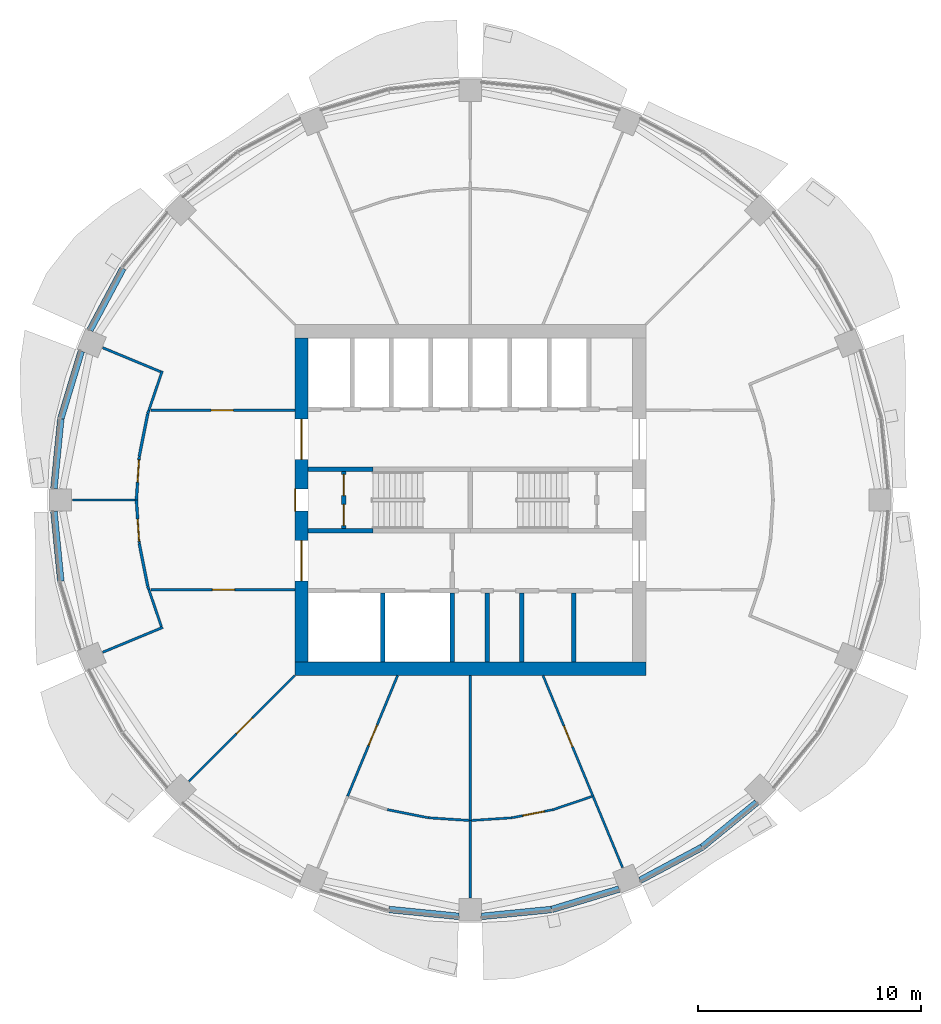
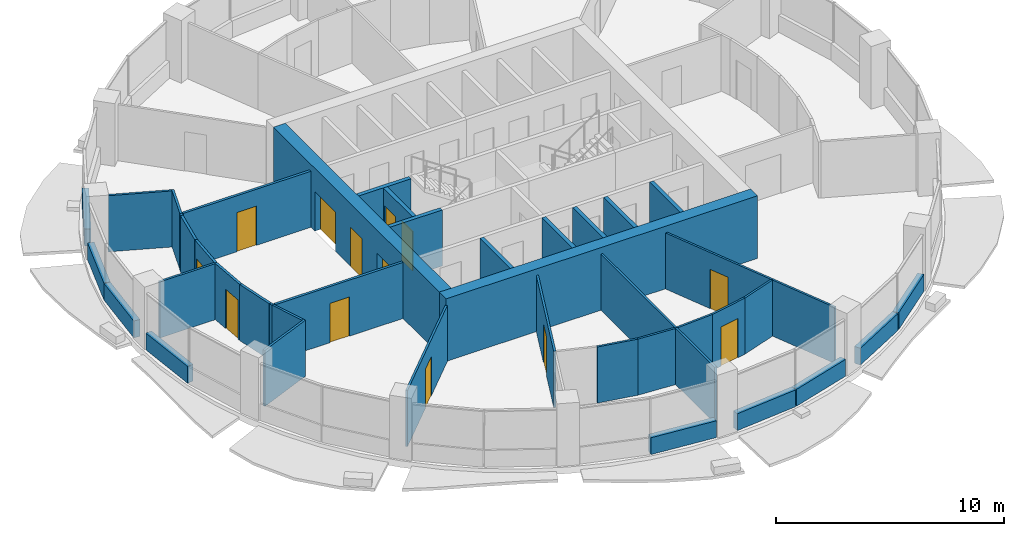
# One storey, part 8 of 15: 43 walls, 13 doors, 13 openings.
"""IFC4 building model written with IfcOpenShell, lengths in metres."""

from ifc_helpers import new_model, si_unit, direction, frame, frame_2d, origin, place, context, subcontext, project, spatial, rectangle, extrude, material, layer, layer_set, type_object, element, fill, save


model = new_model("IFC4")

# Units and contexts
model_context = context("Model", 3, precision=1e-05, world=origin(), true_north=direction((0.0, 1.0)))
body_context = subcontext(model_context, "Body", "Model", "MODEL_VIEW")
ifc_project = project(units=[si_unit("LENGTHUNIT", "METRE"), si_unit("AREAUNIT", "SQUARE_METRE"), si_unit("VOLUMEUNIT", "CUBIC_METRE"), si_unit("PLANEANGLEUNIT", "RADIAN"), si_unit("MASSUNIT", "GRAM", prefix="KILO")], contexts=[model_context])

# Site, building, storey
site_placement = place(None, origin())
site = spatial("IfcSite", under=ifc_project, at=site_placement, CompositionType="ELEMENT")
building_placement = place(site_placement, origin())
building = spatial("IfcBuilding", under=site, at=building_placement, Name="Polderwave Tower", CompositionType="ELEMENT")
storey_placement = place(building_placement, frame((0.0, 0.0, 134.35009765625)))
storey = spatial("IfcBuildingStorey", under=building, at=storey_placement, Name="L35", CompositionType="ELEMENT", Elevation=134.35009765625)

# Wall
ifc_material_1 = material(Name="Concrete C60/75", Category="concrete")
ifc_layer_1 = layer(ifc_material_1, 0.60009765625)
ifc_layer_set_1 = layer_set([ifc_layer_1], Name="CORE WALL 600 C60/75")
wall_type_1 = type_object("IfcWallType", Name="CORE WALL 600 C60/75", PredefinedType="SHEAR", material=ifc_layer_set_1)
wall_1_placement = place(storey_placement, frame((-7.8740234375, -7.573974609375, 0.0), z_axis=(0.0, 0.0, 1.0), x_axis=(1.0, 0.0, 0.0)))
element("IfcWall", 1, at=wall_1_placement, inside=storey, type_object=wall_type_1, Name="ST-CORE-L35-S", PredefinedType="SHEAR", context=body_context, shape_type="SweptSolid", body=[
    extrude(rectangle(XDim=15.748046875, YDim=0.60009765625, at=frame_2d((7.8740234375, 0.0))), origin(), (0.0, 0.0, 1.0), 3.349853515625),
])

# Wall, openings, doors
wall_2_placement = place(storey_placement, frame((-7.573974609375, -7.27392578125, 0.0), z_axis=(0.0, 0.0, 1.0), x_axis=(0.0, 1.0, 0.0)))
wall_2 = element("IfcWall", 2, at=wall_2_placement, inside=storey, type_object=wall_type_1, Name="ST-CORE-L35-W", PredefinedType="SHEAR", context=body_context, shape_type="SweptSolid", body=[
    extrude(rectangle(XDim=14.5478515625, YDim=0.60009765625, at=frame_2d((7.27392578125, 0.0))), origin(), (0.0, 0.0, 1.0), 3.349853515625),
])
opening_1_placement = place(wall_2_placement, frame((6.77392578125, 0.0, 0.0)))
opening_1 = element("IfcOpeningElement", 3, at=opening_1_placement, cuts=wall_2, Name="Opening L35-D20", PredefinedType="OPENING", context=body_context, shape_type="SweptSolid", body=[
    extrude(rectangle(XDim=1.0, YDim=2.10009765625, at=frame_2d((0.5, 1.050048828125))), frame((0.0, 0.31005859375, 0.0), z_axis=(0.0, -1.0, 0.0), x_axis=(1.0, 0.0, 0.0)), (0.0, 0.0, 1.0), 0.6201171875),
])
opening_2_placement = place(wall_2_placement, frame((3.6494140625, 0.0, 0.0)))
opening_2 = element("IfcOpeningElement", 4, at=opening_2_placement, cuts=wall_2, Name="Opening L35-D21", PredefinedType="OPENING", context=body_context, shape_type="SweptSolid", body=[
    extrude(rectangle(XDim=1.800048828125, YDim=2.10009765625, at=frame_2d((0.89990234375, 1.050048828125))), frame((0.0, 0.31005859375, 0.0), z_axis=(0.0, -1.0, 0.0), x_axis=(1.0, 0.0, 0.0)), (0.0, 0.0, 1.0), 0.6201171875),
])
opening_3_placement = place(wall_2_placement, frame((9.098388671875, 0.0, 0.0)))
opening_3 = element("IfcOpeningElement", 5, at=opening_3_placement, cuts=wall_2, Name="Opening L35-D22", PredefinedType="OPENING", context=body_context, shape_type="SweptSolid", body=[
    extrude(rectangle(XDim=1.800048828125, YDim=2.10009765625, at=frame_2d((0.89990234375, 1.050048828125))), frame((0.0, 0.31005859375, 0.0), z_axis=(0.0, -1.0, 0.0), x_axis=(1.0, 0.0, 0.0)), (0.0, 0.0, 1.0), 0.6201171875),
])
ifc_material_2 = material(Name="Steel fire door", Category="steel")
door_type_1 = type_object("IfcDoorType", Name="Lobby entry door pair 1800", OperationType="DOUBLE_DOOR_SINGLE_SWING", PredefinedType="DOOR", material=ifc_material_2)
door_1_placement = place(opening_2_placement, origin())
door_1 = element("IfcDoor", 6, at=door_1_placement, inside=storey, type_object=door_type_1, Name="Fire-fighting lobby entry door", OperationType="DOUBLE_DOOR_SINGLE_SWING", OverallHeight=2.10009765625, OverallWidth=1.800048828125, PredefinedType="DOOR", context=body_context, shape_type="SweptSolid", body=[
    extrude(rectangle(XDim=1.800048828125, YDim=2.10009765625, at=frame_2d((0.89990234375, 1.050048828125))), frame((0.0, 0.02490234375, 0.0), z_axis=(0.0, -1.0, 0.0), x_axis=(1.0, 0.0, 0.0)), (0.0, 0.0, 1.0), 0.050048828125),
])
fill(opening_2, door_1)
door_2_placement = place(opening_3_placement, origin())
door_2 = element("IfcDoor", 7, at=door_2_placement, inside=storey, type_object=door_type_1, Name="North lobby entry door", OperationType="DOUBLE_DOOR_SINGLE_SWING", OverallHeight=2.10009765625, OverallWidth=1.800048828125, PredefinedType="DOOR", context=body_context, shape_type="SweptSolid", body=[
    extrude(rectangle(XDim=1.800048828125, YDim=2.10009765625, at=frame_2d((0.89990234375, 1.050048828125))), frame((0.0, 0.02490234375, 0.0), z_axis=(0.0, -1.0, 0.0), x_axis=(1.0, 0.0, 0.0)), (0.0, 0.0, 1.0), 0.050048828125),
])
fill(opening_3, door_2)
door_type_2 = type_object("IfcDoorType", Name="Stair door 1000", OperationType="NOTDEFINED", PredefinedType="DOOR", material=ifc_material_2)
door_3_placement = place(opening_1_placement, origin())
door_3 = element("IfcDoor", 8, at=door_3_placement, inside=storey, type_object=door_type_2, Name="Stair A entry door", OperationType="SINGLE_SWING_RIGHT", OverallHeight=2.10009765625, OverallWidth=1.0, PredefinedType="DOOR", context=body_context, shape_type="SweptSolid", body=[
    extrude(rectangle(XDim=1.0, YDim=2.10009765625, at=frame_2d((0.5, 1.050048828125))), frame((0.0, 0.2998046875, 0.0), z_axis=(0.0, -1.0, 0.0), x_axis=(1.0, 0.0, 0.0)), (0.0, 0.0, 1.0), 0.050048828125),
])
fill(opening_1, door_3)

# Walls
ifc_material_3 = material(Name="Concrete C50/60 (board-marked)", Category="concrete")
ifc_layer_2 = layer(ifc_material_3, 0.300048828125)
ifc_layer_set_2 = layer_set([ifc_layer_2], Name="Concrete spandrel upstand C50/60")
wall_type_2 = type_object("IfcWallType", Name="Concrete spandrel upstand C50/60", PredefinedType="SOLIDWALL", material=ifc_layer_set_2)
wall_3_placement = place(storey_placement, frame((-15.580078125, 10.392822265625, 0.0), z_axis=(0.0, 0.0, 1.0), x_axis=(-0.471487773873, -0.881872597991, 0.0)))
element("IfcWall", 9, at=wall_3_placement, inside=storey, type_object=wall_type_2, Name="Spandrel L35 7b", PredefinedType="SOLIDWALL", context=body_context, shape_type="SweptSolid", body=[
    extrude(rectangle(XDim=3.140625, YDim=0.300048828125, at=frame_2d((1.5703125, 0.0))), origin(), (0.0, 0.0, 1.0), 0.89990234375),
])
for number, where, z_axis, x_axis, name in (
    (10, (-17.453369140625, 6.673583984375, 0.0), (0.0, 0.0, 1.0), (-0.290434573745, -0.956894852308, 0.0), "Spandrel L35 8a"),
    (11, (-18.37158203125, 3.63916015625, 0.0), (0.0, 0.0, 1.0), (-0.098033428421, -0.995183122301, 0.0), "Spandrel L35 8b"),
    (12, (-18.679443359375, -0.513916015625, 0.0), (0.0, 0.0, 1.0), (0.098033428421, -0.995183122301, 0.0), "Spandrel L35 9a"),
    (13, (-3.63916015625, -18.37158203125, 0.0), (0.0, 0.0, 1.0), (0.995183122301, -0.098033428421, 0.0), "Spandrel L35 12b"),
    (14, (0.513916015625, -18.679443359375, 0.0), (0.0, 0.0, 1.0), (0.995183122301, 0.098033428421, 0.0), "Spandrel L35 13a"),
    (15, (3.66845703125, -18.365478515625, 0.0), (0.0, 0.0, 1.0), (0.956894852308, 0.290434573745, 0.0), "Spandrel L35 13b"),
):
    element("IfcWall", number, at=place(storey_placement, frame(where, z_axis=z_axis, x_axis=x_axis)), inside=storey, type_object=wall_type_2, Name=name, PredefinedType="SOLIDWALL", context=body_context, shape_type="SweptSolid", body=[
        extrude(rectangle(XDim=3.140380859375, YDim=0.300048828125, at=frame_2d((1.5703125, 0.0))), origin(), (0.0, 0.0, 1.0), 0.89990234375),
    ])
for number, where, z_axis, x_axis, name in (
    (16, (7.623291015625, -17.060791015625, 0.0), (0.0, 0.0, 1.0), (0.881872597991, 0.471487773873, 0.0), "Spandrel L35 14a"),
    (17, (10.41748046875, -15.5634765625, 0.0), (0.0, 0.0, 1.0), (0.773111490074, 0.634270150579, 0.0), "Spandrel L35 14b"),
):
    element("IfcWall", number, at=place(storey_placement, frame(where, z_axis=z_axis, x_axis=x_axis)), inside=storey, type_object=wall_type_2, Name=name, PredefinedType="SOLIDWALL", context=body_context, shape_type="SweptSolid", body=[
        extrude(rectangle(XDim=3.140625, YDim=0.300048828125, at=frame_2d((1.5703125, 0.0))), origin(), (0.0, 0.0, 1.0), 0.89990234375),
    ])
ifc_material_4 = material(Name="Gypsum board partition")
ifc_layer_3 = layer(ifc_material_4, 0.199951171875)
ifc_layer_set_3 = layer_set([ifc_layer_3], Name="Core room partition 200")
wall_type_3 = type_object("IfcWallType", Name="Core room partition 200", PredefinedType="PARTITIONING", material=ifc_layer_set_3)
for number, where, z_axis, x_axis, name in (
    (18, (0.75830078125, -7.27392578125, 0.0), (0.0, 0.0, 1.0), (0.0, 1.0, 0.0), "L35 room partition S1"),
    (19, (2.316650390625, -7.27392578125, 0.0), (0.0, 0.0, 1.0), (0.0, 1.0, 0.0), "L35 room partition S2"),
    (20, (4.6513671875, -7.27392578125, 0.0), (0.0, 0.0, 1.0), (0.0, 1.0, 0.0), "L35 room partition S3"),
):
    element("IfcWall", number, at=place(storey_placement, frame(where, z_axis=z_axis, x_axis=x_axis)), inside=storey, type_object=wall_type_3, Name=name, PredefinedType="PARTITIONING", context=body_context, shape_type="SweptSolid", body=[
        extrude(rectangle(XDim=3.099853515625, YDim=0.199951171875, at=frame_2d((1.5498046875, 0.0))), origin(), (0.0, 0.0, 1.0), 3.0),
    ])

# Wall, openings, doors
wall_4_placement = place(storey_placement, frame((-5.674072265625, -1.27490234375, 0.0), z_axis=(0.0, 0.0, 1.0), x_axis=(0.0, 1.0, 0.0)))
wall_4 = element("IfcWall", 21, at=wall_4_placement, inside=storey, type_object=wall_type_3, Name="L35 smoke lobby wall A", PredefinedType="PARTITIONING", context=body_context, shape_type="SweptSolid", body=[
    extrude(rectangle(XDim=2.5498046875, YDim=0.199951171875, at=frame_2d((1.27490234375, 0.0))), origin(), (0.0, 0.0, 1.0), 3.0),
])
opening_4_placement = place(wall_4_placement, frame((0.125, 0.0, 0.0)))
opening_4 = element("IfcOpeningElement", 22, at=opening_4_placement, cuts=wall_4, Name="Opening L35-D10", PredefinedType="OPENING", context=body_context, shape_type="SweptSolid", body=[
    extrude(rectangle(XDim=0.949951171875, YDim=2.10009765625, at=frame_2d((0.47509765625, 1.050048828125))), frame((0.0, 0.10986328125, 0.0), z_axis=(0.0, -1.0, 0.0), x_axis=(1.0, 0.0, 0.0)), (0.0, 0.0, 1.0), 0.219970703125),
])
opening_5_placement = place(wall_4_placement, frame((1.47509765625, 0.0, 0.0)))
opening_5 = element("IfcOpeningElement", 23, at=opening_5_placement, cuts=wall_4, Name="Opening L35-D11", PredefinedType="OPENING", context=body_context, shape_type="SweptSolid", body=[
    extrude(rectangle(XDim=0.949951171875, YDim=2.10009765625, at=frame_2d((0.47509765625, 1.050048828125))), frame((0.0, 0.10986328125, 0.0), z_axis=(0.0, -1.0, 0.0), x_axis=(1.0, 0.0, 0.0)), (0.0, 0.0, 1.0), 0.219970703125),
])
door_type_3 = type_object("IfcDoorType", Name="Smoke lobby door 950", OperationType="NOTDEFINED", PredefinedType="DOOR", material=ifc_material_2)
door_4_placement = place(opening_4_placement, origin())
door_4 = element("IfcDoor", 24, at=door_4_placement, inside=storey, type_object=door_type_3, Name="Stair A smoke lobby inner door", OperationType="SINGLE_SWING_LEFT", OverallHeight=2.10009765625, OverallWidth=0.949951171875, PredefinedType="DOOR", context=body_context, shape_type="SweptSolid", body=[
    extrude(rectangle(XDim=0.949951171875, YDim=2.10009765625, at=frame_2d((0.47509765625, 1.050048828125))), frame((0.0, 0.02490234375, 0.0), z_axis=(0.0, -1.0, 0.0), x_axis=(1.0, 0.0, 0.0)), (0.0, 0.0, 1.0), 0.050048828125),
])
fill(opening_4, door_4)
door_5_placement = place(opening_5_placement, origin())
door_5 = element("IfcDoor", 25, at=door_5_placement, inside=storey, type_object=door_type_3, Name="Stair A smoke lobby inner door", OperationType="SINGLE_SWING_RIGHT", OverallHeight=2.10009765625, OverallWidth=0.949951171875, PredefinedType="DOOR", context=body_context, shape_type="SweptSolid", body=[
    extrude(rectangle(XDim=0.949951171875, YDim=2.10009765625, at=frame_2d((0.47509765625, 1.050048828125))), frame((0.0, 0.02490234375, 0.0), z_axis=(0.0, -1.0, 0.0), x_axis=(1.0, 0.0, 0.0)), (0.0, 0.0, 1.0), 0.050048828125),
])
fill(opening_5, door_5)

# Walls
ifc_material_5 = material(Name="Concrete C50/60", Category="concrete")
ifc_layer_4 = layer(ifc_material_5, 0.199951171875)
ifc_layer_set_4 = layer_set([ifc_layer_4], Name="Core web wall 200")
wall_type_4 = type_object("IfcWallType", Name="Core web wall 200", PredefinedType="SHEAR", material=ifc_layer_set_4)
for number, where, z_axis, x_axis, name in (
    (26, (-7.27392578125, -1.375, 0.0), (0.0, 0.0, 1.0), (1.0, 0.0, 0.0), "L35 south stair wall 1"),
    (27, (-7.27392578125, 1.375, 0.0), (0.0, 0.0, 1.0), (1.0, 0.0, 0.0), "L35 north stair wall 1"),
):
    element("IfcWall", number, at=place(storey_placement, frame(where, z_axis=z_axis, x_axis=x_axis)), inside=storey, type_object=wall_type_4, Name=name, PredefinedType="SHEAR", context=body_context, shape_type="SweptSolid", body=[
        extrude(rectangle(XDim=2.89990234375, YDim=0.199951171875, at=frame_2d((1.449951171875, 0.0))), origin(), (0.0, 0.0, 1.0), 3.0),
    ])

# Wall, opening, door
ifc_material_6 = material(Name="Fire-resisting board on steel studs", Category="steel")
ifc_layer_5 = layer(ifc_material_6, 0.125)
ifc_layer_set_5 = layer_set([ifc_layer_5], Name="Corridor wall 125 mm EI 60")
wall_type_5 = type_object("IfcWallType", Name="Corridor wall 125 mm EI 60", PredefinedType="PARTITIONING", material=ifc_layer_set_5)
wall_5_placement = place(storey_placement, frame((-14.332275390625, 4.0244140625, 0.0), z_axis=(0.0, 0.0, 1.0), x_axis=(1.0, 0.0, 0.0)))
wall_5 = element("IfcWall", 28, at=wall_5_placement, inside=storey, type_object=wall_type_5, Name="IN-L35-W009", PredefinedType="PARTITIONING", context=body_context, shape_type="SweptSolid", body=[
    extrude(rectangle(XDim=6.458251953125, YDim=0.125, at=frame_2d((3.22900390625, 0.0))), origin(), (0.0, 0.0, 1.0), 3.0),
])
opening_6_placement = place(wall_5_placement, frame((2.699951171875, 0.0, 0.0)))
opening_6 = element("IfcOpeningElement", 29, at=opening_6_placement, cuts=wall_5, Name="Opening L35-D53", PredefinedType="OPENING", context=body_context, shape_type="SweptSolid", body=[
    extrude(rectangle(XDim=1.0, YDim=2.10009765625, at=frame_2d((0.5, 1.050048828125))), frame((0.0, 0.072509765625, 0.0), z_axis=(0.0, -1.0, 0.0), x_axis=(1.0, 0.0, 0.0)), (0.0, 0.0, 1.0), 0.14501953125),
])
ifc_material_7 = material(Name="Timber fire door leaf", Category="wood")
door_type_4 = type_object("IfcDoorType", Name="Fire door FD30S 1000 x 2100", OperationType="NOTDEFINED", PredefinedType="DOOR", material=ifc_material_7)
door_6_placement = place(opening_6_placement, origin())
door_6 = element("IfcDoor", 30, at=door_6_placement, inside=storey, type_object=door_type_4, Name="Door L35-D53", OperationType="SINGLE_SWING_LEFT", OverallHeight=2.10009765625, OverallWidth=1.0, PredefinedType="DOOR", context=body_context, shape_type="SweptSolid", body=[
    extrude(rectangle(XDim=1.0, YDim=2.10009765625, at=frame_2d((0.5, 1.050048828125))), frame((0.0, 0.02490234375, 0.0), z_axis=(0.0, -1.0, 0.0), x_axis=(1.0, 0.0, 0.0)), (0.0, 0.0, 1.0), 0.050048828125),
])
fill(opening_6, door_6)

wall_6_placement = place(storey_placement, frame((-14.97998046875, 0.0, 0.0), z_axis=(0.0, 0.0, 1.0), x_axis=(0.065425090266, 0.997857483594, 0.0)))
wall_6 = element("IfcWall", 31, at=wall_6_placement, inside=storey, type_object=wall_type_5, Name="IN-L35-W010", PredefinedType="PARTITIONING", context=body_context, shape_type="SweptSolid", body=[
    extrude(rectangle(XDim=1.955322265625, YDim=0.125, at=frame_2d((0.9775390625, 0.0))), origin(), (0.0, 0.0, 1.0), 3.0),
])
opening_7_placement = place(wall_6_placement, frame((0.800048828125, 0.0, 0.0)))
opening_7 = element("IfcOpeningElement", 32, at=opening_7_placement, cuts=wall_6, Name="Opening L35-D54", PredefinedType="OPENING", context=body_context, shape_type="SweptSolid", body=[
    extrude(rectangle(XDim=1.0, YDim=2.10009765625, at=frame_2d((0.5, 1.050048828125))), frame((0.0, 0.072509765625, 0.0), z_axis=(0.0, -1.0, 0.0), x_axis=(1.0, 0.0, 0.0)), (0.0, 0.0, 1.0), 0.14501953125),
])
door_7_placement = place(opening_7_placement, origin())
door_7 = element("IfcDoor", 33, at=door_7_placement, inside=storey, type_object=door_type_4, Name="Door L35-D54", OperationType="SINGLE_SWING_RIGHT", OverallHeight=2.10009765625, OverallWidth=1.0, PredefinedType="DOOR", context=body_context, shape_type="SweptSolid", body=[
    extrude(rectangle(XDim=1.0, YDim=2.10009765625, at=frame_2d((0.5, 1.050048828125))), frame((0.0, 0.02490234375, 0.0), z_axis=(0.0, -1.0, 0.0), x_axis=(1.0, 0.0, 0.0)), (0.0, 0.0, 1.0), 0.050048828125),
])
fill(opening_7, door_7)

# Walls
wall_7_placement = place(storey_placement, frame((-14.85107421875, 1.959228515625, 0.0), z_axis=(0.0, 0.0, 1.0), x_axis=(0.195057338878, 0.980791840581, 0.0)))
element("IfcWall", 34, at=wall_7_placement, inside=storey, type_object=wall_type_5, Name="IN-L35-W011", PredefinedType="PARTITIONING", context=body_context, shape_type="SweptSolid", body=[
    extrude(rectangle(XDim=1.951416015625, YDim=0.125, at=frame_2d((0.9755859375, 0.0))), origin(), (0.0, 0.0, 1.0), 3.0),
])
wall_8_placement = place(storey_placement, frame((-14.46826171875, 3.881103515625, 0.0), z_axis=(0.0, 0.0, 1.0), x_axis=(0.322509757857, 0.946566139309, 0.0)))
element("IfcWall", 35, at=wall_8_placement, inside=storey, type_object=wall_type_5, Name="IN-L35-W012", PredefinedType="PARTITIONING", context=body_context, shape_type="SweptSolid", body=[
    extrude(rectangle(XDim=0.1513671875, YDim=0.125, at=frame_2d((0.07568359375, 0.0))), origin(), (0.0, 0.0, 1.0), 3.0),
])

# Wall, opening, door
wall_9_placement = place(storey_placement, frame((-7.8740234375, -4.0244140625, 0.0), z_axis=(0.0, 0.0, 1.0), x_axis=(-1.0, 0.0, 0.0)))
wall_9 = element("IfcWall", 36, at=wall_9_placement, inside=storey, type_object=wall_type_5, Name="IN-L35-W013", PredefinedType="PARTITIONING", context=body_context, shape_type="SweptSolid", body=[
    extrude(rectangle(XDim=6.458251953125, YDim=0.125, at=frame_2d((3.22900390625, 0.0))), origin(), (0.0, 0.0, 1.0), 3.0),
])
opening_8_placement = place(wall_9_placement, frame((2.699951171875, 0.0, 0.0)))
opening_8 = element("IfcOpeningElement", 37, at=opening_8_placement, cuts=wall_9, Name="Opening L35-D55", PredefinedType="OPENING", context=body_context, shape_type="SweptSolid", body=[
    extrude(rectangle(XDim=1.0, YDim=2.10009765625, at=frame_2d((0.5, 1.050048828125))), frame((0.0, 0.072509765625, 0.0), z_axis=(0.0, -1.0, 0.0), x_axis=(1.0, 0.0, 0.0)), (0.0, 0.0, 1.0), 0.14501953125),
])
door_8_placement = place(opening_8_placement, origin())
door_8 = element("IfcDoor", 38, at=door_8_placement, inside=storey, type_object=door_type_4, Name="Door L35-D55", OperationType="SINGLE_SWING_LEFT", OverallHeight=2.10009765625, OverallWidth=1.0, PredefinedType="DOOR", context=body_context, shape_type="SweptSolid", body=[
    extrude(rectangle(XDim=1.0, YDim=2.10009765625, at=frame_2d((0.5, 1.050048828125))), frame((0.0, 0.02490234375, 0.0), z_axis=(0.0, -1.0, 0.0), x_axis=(1.0, 0.0, 0.0)), (0.0, 0.0, 1.0), 0.050048828125),
])
fill(opening_8, door_8)

wall_10_placement = place(storey_placement, frame((-14.85205078125, -1.951171875, 0.0), z_axis=(0.0, 0.0, 1.0), x_axis=(-0.065425090266, 0.997857483594, 0.0)))
wall_10 = element("IfcWall", 39, at=wall_10_placement, inside=storey, type_object=wall_type_5, Name="IN-L35-W014", PredefinedType="PARTITIONING", context=body_context, shape_type="SweptSolid", body=[
    extrude(rectangle(XDim=1.955322265625, YDim=0.125, at=frame_2d((0.9775390625, 0.0))), origin(), (0.0, 0.0, 1.0), 3.0),
])
opening_9_placement = place(wall_10_placement, frame((0.10009765625, 0.0, 0.0)))
opening_9 = element("IfcOpeningElement", 40, at=opening_9_placement, cuts=wall_10, Name="Opening L35-D56", PredefinedType="OPENING", context=body_context, shape_type="SweptSolid", body=[
    extrude(rectangle(XDim=1.0, YDim=2.10009765625, at=frame_2d((0.5, 1.050048828125))), frame((0.0, 0.072509765625, 0.0), z_axis=(0.0, -1.0, 0.0), x_axis=(1.0, 0.0, 0.0)), (0.0, 0.0, 1.0), 0.14501953125),
])
door_9_placement = place(opening_9_placement, origin())
door_9 = element("IfcDoor", 41, at=door_9_placement, inside=storey, type_object=door_type_4, Name="Door L35-D56", OperationType="SINGLE_SWING_LEFT", OverallHeight=2.10009765625, OverallWidth=1.0, PredefinedType="DOOR", context=body_context, shape_type="SweptSolid", body=[
    extrude(rectangle(XDim=1.0, YDim=2.10009765625, at=frame_2d((0.5, 1.050048828125))), frame((0.0, 0.02490234375, 0.0), z_axis=(0.0, -1.0, 0.0), x_axis=(1.0, 0.0, 0.0)), (0.0, 0.0, 1.0), 0.050048828125),
])
fill(opening_9, door_9)

# Walls
wall_11_placement = place(storey_placement, frame((-14.470458984375, -3.873046875, 0.0), z_axis=(0.0, 0.0, 1.0), x_axis=(-0.195057338878, 0.980791840581, 0.0)))
element("IfcWall", 42, at=wall_11_placement, inside=storey, type_object=wall_type_5, Name="IN-L35-W015", PredefinedType="PARTITIONING", context=body_context, shape_type="SweptSolid", body=[
    extrude(rectangle(XDim=1.951416015625, YDim=0.125, at=frame_2d((0.9755859375, 0.0))), origin(), (0.0, 0.0, 1.0), 3.0),
])
wall_12_placement = place(storey_placement, frame((-14.41943359375, -4.0244140625, 0.0), z_axis=(0.0, 0.0, 1.0), x_axis=(-0.322509757857, 0.946566139309, 0.0)))
element("IfcWall", 43, at=wall_12_placement, inside=storey, type_object=wall_type_5, Name="IN-L35-W016", PredefinedType="PARTITIONING", context=body_context, shape_type="SweptSolid", body=[
    extrude(rectangle(XDim=0.1513671875, YDim=0.125, at=frame_2d((0.07568359375, 0.0))), origin(), (0.0, 0.0, 1.0), 3.0),
])

# Wall, opening, door
ifc_material_8 = material(Name="Plasterboard on steel studs", Category="steel")
ifc_layer_6 = layer(ifc_material_8, 0.10009765625)
ifc_layer_set_6 = layer_set([ifc_layer_6], Name="Partition 100 mm plasterboard on steel studs")
wall_type_6 = type_object("IfcWallType", Name="Partition 100 mm plasterboard on steel studs", PredefinedType="PARTITIONING", material=ifc_layer_set_6)
wall_13_placement = place(storey_placement, frame((-7.8740234375, -7.8740234375, 0.0), z_axis=(0.0, 0.0, 1.0), x_axis=(-0.707106781187, -0.707106781187, 0.0)))
wall_13 = element("IfcWall", 44, at=wall_13_placement, inside=storey, type_object=wall_type_6, Name="IN-L35-W040", PredefinedType="PARTITIONING", context=body_context, shape_type="SweptSolid", body=[
    extrude(rectangle(XDim=6.71435546875, YDim=0.10009765625, at=frame_2d((3.357177734375, 0.0))), origin(), (0.0, 0.0, 1.0), 3.0),
])
opening_10_placement = place(wall_13_placement, frame((2.699951171875, 0.0, 0.0)))
opening_10 = element("IfcOpeningElement", 45, at=opening_10_placement, cuts=wall_13, Name="Opening L35-D63", PredefinedType="OPENING", context=body_context, shape_type="SweptSolid", body=[
    extrude(rectangle(XDim=1.0, YDim=2.10009765625, at=frame_2d((0.5, 1.050048828125))), frame((0.0, 0.06005859375, 0.0), z_axis=(0.0, -1.0, 0.0), x_axis=(1.0, 0.0, 0.0)), (0.0, 0.0, 1.0), 0.1201171875),
])
ifc_material_9 = material(Name="Timber veneer door leaf", Category="wood")
door_type_5 = type_object("IfcDoorType", Name="Single door 1000 x 2100", OperationType="NOTDEFINED", PredefinedType="DOOR", material=ifc_material_9)
door_10_placement = place(opening_10_placement, origin())
door_10 = element("IfcDoor", 46, at=door_10_placement, inside=storey, type_object=door_type_5, Name="Door L35-D63", OperationType="SINGLE_SWING_LEFT", OverallHeight=2.10009765625, OverallWidth=1.0, PredefinedType="DOOR", context=body_context, shape_type="SweptSolid", body=[
    extrude(rectangle(XDim=1.0, YDim=2.10009765625, at=frame_2d((0.5, 1.050048828125))), frame((0.0, 0.02490234375, 0.0), z_axis=(0.0, -1.0, 0.0), x_axis=(1.0, 0.0, 0.0)), (0.0, 0.0, 1.0), 0.050048828125),
])
fill(opening_10, door_10)

# Wall
wall_14_placement = place(storey_placement, frame((1.873779296875, -14.257080078125, 0.0), z_axis=(0.0, 0.0, 1.0), x_axis=(-0.997853500394, -0.065485813366, 0.0)))
element("IfcWall", 47, at=wall_14_placement, inside=storey, type_object=wall_type_6, Name="IN-L35-W048", PredefinedType="PARTITIONING", context=body_context, shape_type="SweptSolid", body=[
    extrude(rectangle(XDim=1.8193359375, YDim=0.10009765625, at=frame_2d((0.90966796875, 0.0))), origin(), (0.0, 0.0, 1.0), 3.0),
])

# Wall, opening, door
wall_15_placement = place(storey_placement, frame((3.718505859375, -13.890625, 0.0), z_axis=(0.0, 0.0, 1.0), x_axis=(-0.980780548044, -0.195114111683, 0.0)))
wall_15 = element("IfcWall", 48, at=wall_15_placement, inside=storey, type_object=wall_type_6, Name="IN-L35-W049", PredefinedType="PARTITIONING", context=body_context, shape_type="SweptSolid", body=[
    extrude(rectangle(XDim=1.87451171875, YDim=0.10009765625, at=frame_2d((0.937255859375, 0.0))), origin(), (0.0, 0.0, 1.0), 3.0),
])
opening_11_placement = place(wall_15_placement, frame((0.39990234375, 0.0, 0.0)))
opening_11 = element("IfcOpeningElement", 49, at=opening_11_placement, cuts=wall_15, Name="Opening L35-D66", PredefinedType="OPENING", context=body_context, shape_type="SweptSolid", body=[
    extrude(rectangle(XDim=1.0, YDim=2.10009765625, at=frame_2d((0.5, 1.050048828125))), frame((0.0, 0.06005859375, 0.0), z_axis=(0.0, -1.0, 0.0), x_axis=(1.0, 0.0, 0.0)), (0.0, 0.0, 1.0), 0.1201171875),
])
door_11_placement = place(opening_11_placement, origin())
door_11 = element("IfcDoor", 50, at=door_11_placement, inside=storey, type_object=door_type_5, Name="Door L35-D66", OperationType="SINGLE_SWING_LEFT", OverallHeight=2.10009765625, OverallWidth=1.0, PredefinedType="DOOR", context=body_context, shape_type="SweptSolid", body=[
    extrude(rectangle(XDim=1.0, YDim=2.10009765625, at=frame_2d((0.5, 1.050048828125))), frame((0.0, 0.02490234375, 0.0), z_axis=(0.0, -1.0, 0.0), x_axis=(1.0, 0.0, 0.0)), (0.0, 0.0, 1.0), 0.050048828125),
])
fill(opening_11, door_11)

# Wall
wall_16_placement = place(storey_placement, frame((5.452392578125, -13.302490234375, 0.0), z_axis=(0.0, 0.0, 1.0), x_axis=(-0.946929247039, -0.321442064922, 0.0)))
element("IfcWall", 51, at=wall_16_placement, inside=storey, type_object=wall_type_6, Name="IN-L35-W050", PredefinedType="PARTITIONING", context=body_context, shape_type="SweptSolid", body=[
    extrude(rectangle(XDim=1.824462890625, YDim=0.10009765625, at=frame_2d((0.912109375, 0.0))), origin(), (0.0, 0.0, 1.0), 3.0),
])

# Wall, opening, door
wall_17_placement = place(storey_placement, frame((5.5029296875, -13.285400390625, 0.0), z_axis=(0.0, 0.0, 1.0), x_axis=(-0.382681880818, 0.923880175181, 0.0)))
wall_17 = element("IfcWall", 52, at=wall_17_placement, inside=storey, type_object=wall_type_6, Name="IN-L35-W051", PredefinedType="PARTITIONING", context=body_context, shape_type="SweptSolid", body=[
    extrude(rectangle(XDim=5.857177734375, YDim=0.10009765625, at=frame_2d((2.9287109375, 0.0))), origin(), (0.0, 0.0, 1.0), 3.0),
])
opening_12_placement = place(wall_17_placement, frame((2.39990234375, 0.0, 0.0)))
opening_12 = element("IfcOpeningElement", 53, at=opening_12_placement, cuts=wall_17, Name="Opening L35-D67", PredefinedType="OPENING", context=body_context, shape_type="SweptSolid", body=[
    extrude(rectangle(XDim=1.0, YDim=2.10009765625, at=frame_2d((0.5, 1.050048828125))), frame((0.0, 0.06005859375, 0.0), z_axis=(0.0, -1.0, 0.0), x_axis=(1.0, 0.0, 0.0)), (0.0, 0.0, 1.0), 0.1201171875),
])
door_12_placement = place(opening_12_placement, origin())
door_12 = element("IfcDoor", 54, at=door_12_placement, inside=storey, type_object=door_type_5, Name="Door L35-D67", OperationType="SINGLE_SWING_LEFT", OverallHeight=2.10009765625, OverallWidth=1.0, PredefinedType="DOOR", context=body_context, shape_type="SweptSolid", body=[
    extrude(rectangle(XDim=1.0, YDim=2.10009765625, at=frame_2d((0.5, 1.050048828125))), frame((0.0, 0.02490234375, 0.0), z_axis=(0.0, -1.0, 0.0), x_axis=(1.0, 0.0, 0.0)), (0.0, 0.0, 1.0), 0.050048828125),
])
fill(opening_12, door_12)

# Wall
wall_18_placement = place(storey_placement, frame((5.5029296875, -13.285400390625, 0.0), z_axis=(0.0, 0.0, 1.0), x_axis=(0.382681133009, -0.923880484932, 0.0)))
element("IfcWall", 55, at=wall_18_placement, inside=storey, type_object=wall_type_6, Name="IN-L35-W052", PredefinedType="PARTITIONING", context=body_context, shape_type="SweptSolid", body=[
    extrude(rectangle(XDim=3.469970703125, YDim=0.10009765625, at=frame_2d((1.73486328125, 0.0))), origin(), (0.0, 0.0, 1.0), 3.0),
])

# Wall, opening, door
ifc_material_10 = material(Name="Moisture-resistant board on steel studs, tiled", Category="steel")
ifc_layer_7 = layer(ifc_material_10, 0.10498046875)
ifc_layer_set_7 = layer_set([ifc_layer_7], Name="Partition 105 mm wet room board and tile")
wall_type_7 = type_object("IfcWallType", Name="Partition 105 mm wet room board and tile", PredefinedType="PARTITIONING", material=ifc_layer_set_7)
wall_19_placement = place(storey_placement, frame((-3.261474609375, -7.8740234375, 0.0), z_axis=(0.0, 0.0, 1.0), x_axis=(-0.382681880818, -0.923880175181, 0.0)))
wall_19 = element("IfcWall", 56, at=wall_19_placement, inside=storey, type_object=wall_type_7, Name="IN-L35-W041", PredefinedType="PARTITIONING", context=body_context, shape_type="SweptSolid", body=[
    extrude(rectangle(XDim=5.857177734375, YDim=0.10498046875, at=frame_2d((2.9287109375, 0.0))), origin(), (0.0, 0.0, 1.0), 3.0),
])
opening_13_placement = place(wall_19_placement, frame((2.39990234375, 0.0, 0.0)))
opening_13 = element("IfcOpeningElement", 57, at=opening_13_placement, cuts=wall_19, Name="Opening L35-D64", PredefinedType="OPENING", context=body_context, shape_type="SweptSolid", body=[
    extrude(rectangle(XDim=1.0, YDim=2.10009765625, at=frame_2d((0.5, 1.050048828125))), frame((0.0, 0.0625, 0.0), z_axis=(0.0, -1.0, 0.0), x_axis=(1.0, 0.0, 0.0)), (0.0, 0.0, 1.0), 0.125),
])
door_13_placement = place(opening_13_placement, origin())
door_13 = element("IfcDoor", 58, at=door_13_placement, inside=storey, type_object=door_type_5, Name="Door L35-D64", OperationType="SINGLE_SWING_LEFT", OverallHeight=2.10009765625, OverallWidth=1.0, PredefinedType="DOOR", context=body_context, shape_type="SweptSolid", body=[
    extrude(rectangle(XDim=1.0, YDim=2.10009765625, at=frame_2d((0.5, 1.050048828125))), frame((0.0, 0.02490234375, 0.0), z_axis=(0.0, -1.0, 0.0), x_axis=(1.0, 0.0, 0.0)), (0.0, 0.0, 1.0), 0.050048828125),
])
fill(opening_13, door_13)

# Walls
wall_20_placement = place(storey_placement, frame((-1.88037109375, -14.25634765625, 0.0), z_axis=(0.0, 0.0, 1.0), x_axis=(-0.980775588549, 0.195139039932, 0.0)))
element("IfcWall", 59, at=wall_20_placement, inside=storey, type_object=wall_type_7, Name="IN-L35-W044", PredefinedType="PARTITIONING", context=body_context, shape_type="SweptSolid", body=[
    extrude(rectangle(XDim=1.874267578125, YDim=0.10498046875, at=frame_2d((0.93701171875, 0.0))), origin(), (0.0, 0.0, 1.0), 3.0),
])
wall_21_placement = place(storey_placement, frame((-0.058349609375, -14.376220703125, 0.0), z_axis=(0.0, 0.0, 1.0), x_axis=(-0.997852924809, 0.065494583363, 0.0)))
element("IfcWall", 60, at=wall_21_placement, inside=storey, type_object=wall_type_7, Name="IN-L35-W045", PredefinedType="PARTITIONING", context=body_context, shape_type="SweptSolid", body=[
    extrude(rectangle(XDim=1.819091796875, YDim=0.10498046875, at=frame_2d((0.90966796875, 0.0))), origin(), (0.0, 0.0, 1.0), 3.0),
])
wall_22_placement = place(storey_placement, frame((0.0, -7.8740234375, 0.0), z_axis=(0.0, 0.0, 1.0), x_axis=(0.0, -1.0, 0.0)))
element("IfcWall", 61, at=wall_22_placement, inside=storey, type_object=wall_type_7, Name="IN-L35-W046", PredefinedType="PARTITIONING", context=body_context, shape_type="SweptSolid", body=[
    extrude(rectangle(XDim=6.505859375, YDim=0.10498046875, at=frame_2d((3.2529296875, 0.0))), origin(), (0.0, 0.0, 1.0), 3.0),
])
ifc_material_11 = material(Name="Acoustic double plasterboard on steel studs", Category="steel")
ifc_layer_8 = layer(ifc_material_11, 0.110107421875)
ifc_layer_set_8 = layer_set([ifc_layer_8], Name="Partition 110 mm acoustic double board")
wall_type_8 = type_object("IfcWallType", Name="Partition 110 mm acoustic double board", PredefinedType="PARTITIONING", material=ifc_layer_set_8)
wall_23_placement = place(storey_placement, frame((-14.41943359375, 4.0244140625, 0.0), z_axis=(0.0, 0.0, 1.0), x_axis=(0.321384678366, 0.946948725387, 0.0)))
element("IfcWall", 62, at=wall_23_placement, inside=storey, type_object=wall_type_8, Name="IN-L35-W035", PredefinedType="PARTITIONING", context=body_context, shape_type="SweptSolid", body=[
    extrude(rectangle(XDim=1.85888671875, YDim=0.110107421875, at=frame_2d((0.929443359375, 0.0))), origin(), (0.0, 0.0, 1.0), 3.0),
])
wall_24_placement = place(storey_placement, frame((-13.89404296875, 5.755126953125, 0.0), z_axis=(0.0, 0.0, 1.0), x_axis=(-0.923891933257, 0.382653492943, 0.0)))
element("IfcWall", 63, at=wall_24_placement, inside=storey, type_object=wall_type_8, Name="IN-L35-W036", PredefinedType="PARTITIONING", context=body_context, shape_type="SweptSolid", body=[
    extrude(rectangle(XDim=2.81103515625, YDim=0.110107421875, at=frame_2d((1.405517578125, 0.0))), origin(), (0.0, 0.0, 1.0), 3.0),
])
wall_25_placement = place(storey_placement, frame((-15.046142578125, 0.0, 0.0), z_axis=(0.0, 0.0, 1.0), x_axis=(-1.0, 0.0, 0.0)))
element("IfcWall", 64, at=wall_25_placement, inside=storey, type_object=wall_type_8, Name="IN-L35-W037", PredefinedType="PARTITIONING", context=body_context, shape_type="SweptSolid", body=[
    extrude(rectangle(XDim=2.803955078125, YDim=0.110107421875, at=frame_2d((1.40185546875, 0.0))), origin(), (0.0, 0.0, 1.0), 3.0),
])
wall_26_placement = place(storey_placement, frame((-16.4912109375, -6.830810546875, 0.0), z_axis=(0.0, 0.0, 1.0), x_axis=(0.923906972489, 0.382617179681, 0.0)))
element("IfcWall", 65, at=wall_26_placement, inside=storey, type_object=wall_type_8, Name="IN-L35-W038", PredefinedType="PARTITIONING", context=body_context, shape_type="SweptSolid", body=[
    extrude(rectangle(XDim=2.925048828125, YDim=0.110107421875, at=frame_2d((1.46240234375, 0.0))), origin(), (0.0, 0.0, 1.0), 3.0),
])
wall_27_placement = place(storey_placement, frame((-13.858642578125, -5.677001953125, 0.0), z_axis=(0.0, 0.0, 1.0), x_axis=(-0.321343390067, 0.946962737208, 0.0)))
element("IfcWall", 66, at=wall_27_placement, inside=storey, type_object=wall_type_8, Name="IN-L35-W039", PredefinedType="PARTITIONING", context=body_context, shape_type="SweptSolid", body=[
    extrude(rectangle(XDim=1.7451171875, YDim=0.110107421875, at=frame_2d((0.87255859375, 0.0))), origin(), (0.0, 0.0, 1.0), 3.0),
])
wall_28_placement = place(storey_placement, frame((0.0, -14.3798828125, 0.0), z_axis=(0.0, 0.0, 1.0), x_axis=(0.0, -1.0, 0.0)))
element("IfcWall", 67, at=wall_28_placement, inside=storey, type_object=wall_type_8, Name="IN-L35-W047", PredefinedType="PARTITIONING", context=body_context, shape_type="SweptSolid", body=[
    extrude(rectangle(XDim=3.47021484375, YDim=0.110107421875, at=frame_2d((1.735107421875, 0.0))), origin(), (0.0, 0.0, 1.0), 3.0),
])
ifc_material_12 = material(Name="Gypsum shaft wall system")
ifc_layer_9 = layer(ifc_material_12, 0.199951171875)
ifc_layer_set_9 = layer_set([ifc_layer_9], Name="Shaft wall 200")
wall_type_9 = type_object("IfcWallType", Name="Shaft wall 200", PredefinedType="PARTITIONING", material=ifc_layer_set_9)
for number, where, z_axis, x_axis, name in (
    (68, (-3.93701171875, -7.27392578125, 0.0), (0.0, 0.0, 1.0), (0.0, 1.0, 0.0), "L35 fire-fighting shaft wall 1"),
    (69, (-0.800048828125, -7.27392578125, 0.0), (0.0, 0.0, 1.0), (0.0, 1.0, 0.0), "L35 fire-fighting shaft wall 2"),
):
    element("IfcWall", number, at=place(storey_placement, frame(where, z_axis=z_axis, x_axis=x_axis)), inside=storey, type_object=wall_type_9, Name=name, PredefinedType="PARTITIONING", context=body_context, shape_type="SweptSolid", body=[
        extrude(rectangle(XDim=3.099853515625, YDim=0.199951171875, at=frame_2d((1.5498046875, 0.0))), origin(), (0.0, 0.0, 1.0), 3.0),
    ])

save(model, "model.ifc")
